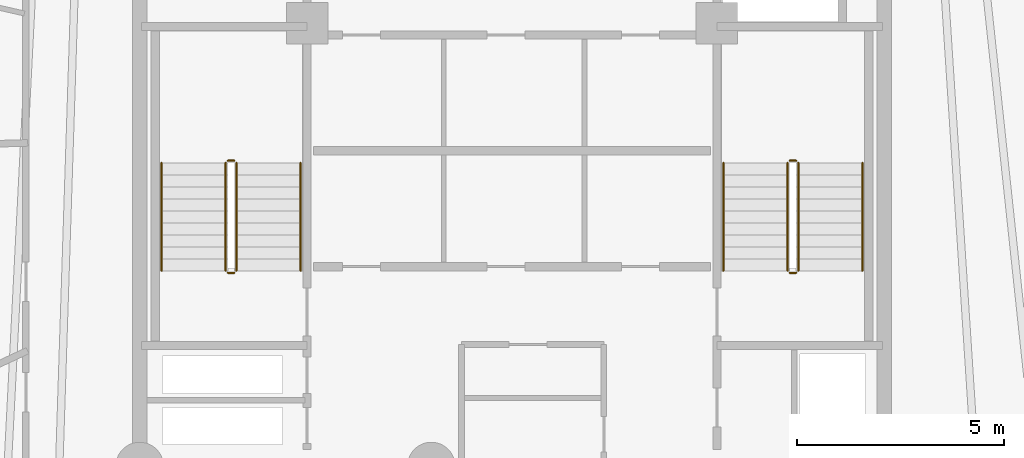
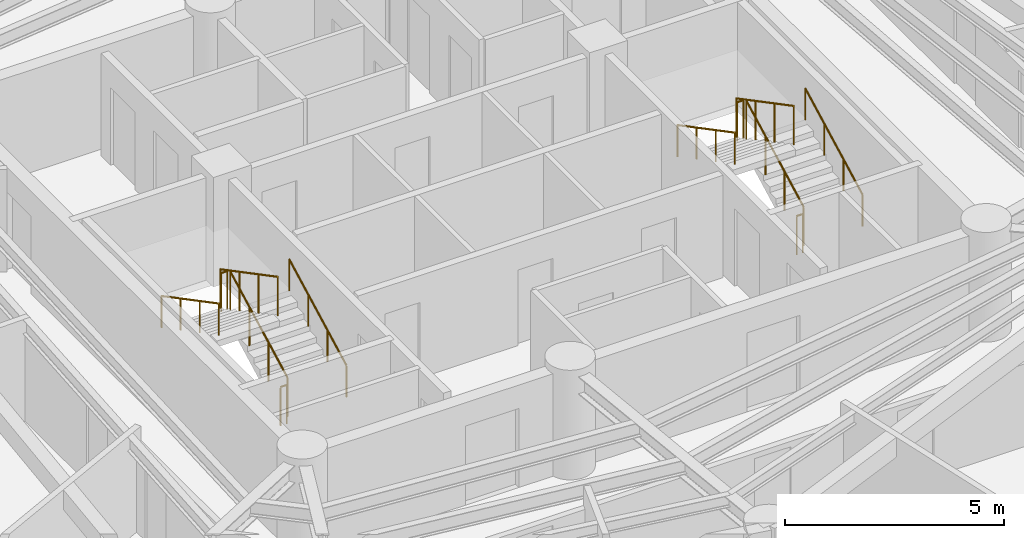
# One storey, part 7 of 7: 12 railings.
"""IFC4 building model written with IfcOpenShell, lengths in metres."""

from ifc_helpers import new_model, si_unit, direction, frame, origin, origin_2d, place, context, subcontext, project, spatial, circle, extrude, material, layer, layer_set, type_object, element, save


model = new_model("IFC4")

# Units and contexts
model_context = context("Model", 3, precision=1e-05, world=origin(), true_north=direction((0.0, 1.0)))
body_context = subcontext(model_context, "Body", "Model", "MODEL_VIEW")
ifc_project = project(units=[si_unit("LENGTHUNIT", "METRE"), si_unit("AREAUNIT", "SQUARE_METRE"), si_unit("VOLUMEUNIT", "CUBIC_METRE"), si_unit("PLANEANGLEUNIT", "RADIAN"), si_unit("MASSUNIT", "GRAM", prefix="KILO")], contexts=[model_context])

# Site, building, storey
site_placement = place(None, origin())
site = spatial("IfcSite", under=ifc_project, at=site_placement, CompositionType="ELEMENT")
building_placement = place(site_placement, origin())
building = spatial("IfcBuilding", under=site, at=building_placement, Name="Karkom Vertical University and Central Library", CompositionType="ELEMENT")
storey_placement = place(building_placement, frame((0.0, 0.0, 238.25)))
storey = spatial("IfcBuildingStorey", under=building, at=storey_placement, Name="L70", CompositionType="ELEMENT", Elevation=238.25)

# Railings
ifc_material_1 = material(Name="Painted galvanised steel balustrade", Category="steel")
ifc_layer_1 = layer(ifc_material_1, 0.06005859375)
ifc_layer_set_1 = layer_set([ifc_layer_1], Name="Painted galvanised steel balustrade")
railing_type_1 = type_object("IfcRailingType", Name="INT-RL-GUARD1100", PredefinedType="GUARDRAIL", material=ifc_layer_set_1)
railing_1_placement = place(storey_placement, frame((21.840087890625, 23.02001953125, 0.152587890625)))
element("IfcRailing", 1, at=railing_1_placement, inside=storey, type_object=railing_type_1, Name="Level 70 ST-1 stair guard 1", PredefinedType="GUARDRAIL", context=body_context, shape_type="SweptSolid", body=[
    extrude(circle(Radius=0.02392578125, at=origin_2d()), frame((0.0, 0.0, 1.076171875), z_axis=(0.0, 0.885099554253, 0.465401739426), x_axis=(-1.0, 0.0, 0.0)), (0.0, 0.0, 1.0), 2.94873046875),
    extrude(circle(Radius=0.02099609375, at=origin_2d()), origin(), (0.0, 0.0, 1.0), 1.052001953125),
    extrude(circle(Radius=0.02099609375, at=origin_2d()), frame((0.0, 0.869873046875, 0.45751953125)), (0.0, 0.0, 1.0), 1.052001953125),
    extrude(circle(Radius=0.02099609375, at=origin_2d()), frame((0.0, 1.739990234375, 0.914794921875)), (0.0, 0.0, 1.0), 1.052001953125),
    extrude(circle(Radius=0.02099609375, at=origin_2d()), frame((0.0, 2.60986328125, 1.372314453125)), (0.0, 0.0, 1.0), 1.052001953125),
])
railing_2_placement = place(storey_placement, frame((21.7900390625, 25.679931640625, 1.52490234375)))
element("IfcRailing", 2, at=railing_2_placement, inside=storey, type_object=railing_type_1, Name="Level 70 ST-1 stair guard 2", PredefinedType="GUARDRAIL", context=body_context, shape_type="SweptSolid", body=[
    extrude(circle(Radius=0.02392578125, at=origin_2d()), frame((0.0, 0.0, 1.076171875), z_axis=(-1.0, 0.0, 0.0), x_axis=(0.0, -1.0, 0.0)), (0.0, 0.0, 1.0), 0.16015625),
    extrude(circle(Radius=0.02099609375, at=origin_2d()), origin(), (0.0, 0.0, 1.0), 1.052001953125),
    extrude(circle(Radius=0.02099609375, at=origin_2d()), frame((-0.16015625, 0.0, 0.0)), (0.0, 0.0, 1.0), 1.052001953125),
])
railing_3_placement = place(storey_placement, frame((21.580078125, 25.6298828125, 1.677490234375)))
element("IfcRailing", 3, at=railing_3_placement, inside=storey, type_object=railing_type_1, Name="Level 70 ST-1 stair guard 3", PredefinedType="GUARDRAIL", context=body_context, shape_type="SweptSolid", body=[
    extrude(circle(Radius=0.02392578125, at=origin_2d()), frame((0.0, 0.0, 1.076171875), z_axis=(0.0, -0.885065446896, 0.46546659892), x_axis=(1.0, 0.0, 0.0)), (0.0, 0.0, 1.0), 2.94873046875),
    extrude(circle(Radius=0.02099609375, at=origin_2d()), origin(), (0.0, 0.0, 1.0), 1.052001953125),
    extrude(circle(Radius=0.02099609375, at=origin_2d()), frame((0.0, -0.869873046875, 0.45751953125)), (0.0, 0.0, 1.0), 1.052001953125),
    extrude(circle(Radius=0.02099609375, at=origin_2d()), frame((0.0, -1.739990234375, 0.9150390625)), (0.0, 0.0, 1.0), 1.052001953125),
    extrude(circle(Radius=0.02099609375, at=origin_2d()), frame((0.0, -2.60986328125, 1.37255859375)), (0.0, 0.0, 1.0), 1.052001953125),
])
railing_4_placement = place(storey_placement, frame((21.7900390625, 22.969970703125, 0.0)))
element("IfcRailing", 4, at=railing_4_placement, inside=storey, type_object=railing_type_1, Name="Level 70 ST-1 stair guard 4", PredefinedType="GUARDRAIL", context=body_context, shape_type="SweptSolid", body=[
    extrude(circle(Radius=0.02392578125, at=origin_2d()), frame((0.0, 0.0, 1.076171875), z_axis=(-1.0, 0.0, 0.0), x_axis=(0.0, -1.0, 0.0)), (0.0, 0.0, 1.0), 0.16015625),
    extrude(circle(Radius=0.02099609375, at=origin_2d()), origin(), (0.0, 0.0, 1.0), 1.052001953125),
    extrude(circle(Radius=0.02099609375, at=origin_2d()), frame((-0.16015625, 0.0, 0.0)), (0.0, 0.0, 1.0), 1.052001953125),
])
railing_5_placement = place(storey_placement, frame((35.419921875, 23.02001953125, 0.152587890625)))
element("IfcRailing", 5, at=railing_5_placement, inside=storey, type_object=railing_type_1, Name="Level 70 ST-2 stair guard 1", PredefinedType="GUARDRAIL", context=body_context, shape_type="SweptSolid", body=[
    extrude(circle(Radius=0.02392578125, at=origin_2d()), frame((0.0, 0.0, 1.076171875), z_axis=(0.0, 0.885099554253, 0.465401739426), x_axis=(-1.0, 0.0, 0.0)), (0.0, 0.0, 1.0), 2.94873046875),
    extrude(circle(Radius=0.02099609375, at=origin_2d()), origin(), (0.0, 0.0, 1.0), 1.052001953125),
    extrude(circle(Radius=0.02099609375, at=origin_2d()), frame((0.0, 0.869873046875, 0.45751953125)), (0.0, 0.0, 1.0), 1.052001953125),
    extrude(circle(Radius=0.02099609375, at=origin_2d()), frame((0.0, 1.739990234375, 0.914794921875)), (0.0, 0.0, 1.0), 1.052001953125),
    extrude(circle(Radius=0.02099609375, at=origin_2d()), frame((0.0, 2.60986328125, 1.372314453125)), (0.0, 0.0, 1.0), 1.052001953125),
])
railing_6_placement = place(storey_placement, frame((35.3701171875, 25.679931640625, 1.52490234375)))
element("IfcRailing", 6, at=railing_6_placement, inside=storey, type_object=railing_type_1, Name="Level 70 ST-2 stair guard 2", PredefinedType="GUARDRAIL", context=body_context, shape_type="SweptSolid", body=[
    extrude(circle(Radius=0.02392578125, at=origin_2d()), frame((0.0, 0.0, 1.076171875), z_axis=(-1.0, 0.0, 0.0), x_axis=(0.0, -1.0, 0.0)), (0.0, 0.0, 1.0), 0.16015625),
    extrude(circle(Radius=0.02099609375, at=origin_2d()), origin(), (0.0, 0.0, 1.0), 1.052001953125),
    extrude(circle(Radius=0.02099609375, at=origin_2d()), frame((-0.16015625, 0.0, 0.0)), (0.0, 0.0, 1.0), 1.052001953125),
])
railing_7_placement = place(storey_placement, frame((35.159912109375, 25.6298828125, 1.677490234375)))
element("IfcRailing", 7, at=railing_7_placement, inside=storey, type_object=railing_type_1, Name="Level 70 ST-2 stair guard 3", PredefinedType="GUARDRAIL", context=body_context, shape_type="SweptSolid", body=[
    extrude(circle(Radius=0.02392578125, at=origin_2d()), frame((0.0, 0.0, 1.076171875), z_axis=(0.0, -0.885065446896, 0.46546659892), x_axis=(1.0, 0.0, 0.0)), (0.0, 0.0, 1.0), 2.94873046875),
    extrude(circle(Radius=0.02099609375, at=origin_2d()), origin(), (0.0, 0.0, 1.0), 1.052001953125),
    extrude(circle(Radius=0.02099609375, at=origin_2d()), frame((0.0, -0.869873046875, 0.45751953125)), (0.0, 0.0, 1.0), 1.052001953125),
    extrude(circle(Radius=0.02099609375, at=origin_2d()), frame((0.0, -1.739990234375, 0.9150390625)), (0.0, 0.0, 1.0), 1.052001953125),
    extrude(circle(Radius=0.02099609375, at=origin_2d()), frame((0.0, -2.60986328125, 1.37255859375)), (0.0, 0.0, 1.0), 1.052001953125),
])
railing_8_placement = place(storey_placement, frame((35.3701171875, 22.969970703125, 0.0)))
element("IfcRailing", 8, at=railing_8_placement, inside=storey, type_object=railing_type_1, Name="Level 70 ST-2 stair guard 4", PredefinedType="GUARDRAIL", context=body_context, shape_type="SweptSolid", body=[
    extrude(circle(Radius=0.02392578125, at=origin_2d()), frame((0.0, 0.0, 1.076171875), z_axis=(-1.0, 0.0, 0.0), x_axis=(0.0, -1.0, 0.0)), (0.0, 0.0, 1.0), 0.16015625),
    extrude(circle(Radius=0.02099609375, at=origin_2d()), origin(), (0.0, 0.0, 1.0), 1.052001953125),
    extrude(circle(Radius=0.02099609375, at=origin_2d()), frame((-0.16015625, 0.0, 0.0)), (0.0, 0.0, 1.0), 1.052001953125),
])
ifc_material_2 = material(Name="Brushed stainless-steel tubular handrail", Category="steel")
ifc_layer_2 = layer(ifc_material_2, 0.048095703125)
ifc_layer_set_2 = layer_set([ifc_layer_2], Name="Brushed stainless-steel tubular handrail")
railing_type_2 = type_object("IfcRailingType", Name="INT-RL-HAND920", PredefinedType="HANDRAIL", material=ifc_layer_set_2)
railing_9_placement = place(storey_placement, frame((23.389892578125, 23.02001953125, 0.152587890625)))
element("IfcRailing", 9, at=railing_9_placement, inside=storey, type_object=railing_type_2, Name="Level 70 ST-1 stair handrail 1", PredefinedType="HANDRAIL", context=body_context, shape_type="SweptSolid", body=[
    extrude(circle(Radius=0.02392578125, at=origin_2d()), frame((0.0, 0.0, 0.8759765625), z_axis=(0.0, 0.885099554253, 0.465401739426), x_axis=(-1.0, 0.0, 0.0)), (0.0, 0.0, 1.0), 2.94873046875),
    extrude(circle(Radius=0.02099609375, at=origin_2d()), origin(), (0.0, 0.0, 1.0), 0.851806640625),
    extrude(circle(Radius=0.02099609375, at=origin_2d()), frame((0.0, 0.869873046875, 0.45751953125)), (0.0, 0.0, 1.0), 0.851806640625),
    extrude(circle(Radius=0.02099609375, at=origin_2d()), frame((0.0, 1.739990234375, 0.914794921875)), (0.0, 0.0, 1.0), 0.851806640625),
    extrude(circle(Radius=0.02099609375, at=origin_2d()), frame((0.0, 2.60986328125, 1.372314453125)), (0.0, 0.0, 1.0), 0.851806640625),
])
railing_10_placement = place(storey_placement, frame((20.030029296875, 25.6298828125, 1.677490234375)))
element("IfcRailing", 10, at=railing_10_placement, inside=storey, type_object=railing_type_2, Name="Level 70 ST-1 stair handrail 2", PredefinedType="HANDRAIL", context=body_context, shape_type="SweptSolid", body=[
    extrude(circle(Radius=0.02392578125, at=origin_2d()), frame((0.0, 0.0, 0.8759765625), z_axis=(0.0, -0.885065446896, 0.46546659892), x_axis=(1.0, 0.0, 0.0)), (0.0, 0.0, 1.0), 2.94873046875),
    extrude(circle(Radius=0.02099609375, at=origin_2d()), origin(), (0.0, 0.0, 1.0), 0.851806640625),
    extrude(circle(Radius=0.02099609375, at=origin_2d()), frame((0.0, -0.869873046875, 0.45751953125)), (0.0, 0.0, 1.0), 0.851806640625),
    extrude(circle(Radius=0.02099609375, at=origin_2d()), frame((0.0, -1.739990234375, 0.9150390625)), (0.0, 0.0, 1.0), 0.851806640625),
    extrude(circle(Radius=0.02099609375, at=origin_2d()), frame((0.0, -2.60986328125, 1.37255859375)), (0.0, 0.0, 1.0), 0.851806640625),
])
railing_11_placement = place(storey_placement, frame((36.969970703125, 23.02001953125, 0.152587890625)))
element("IfcRailing", 11, at=railing_11_placement, inside=storey, type_object=railing_type_2, Name="Level 70 ST-2 stair handrail 1", PredefinedType="HANDRAIL", context=body_context, shape_type="SweptSolid", body=[
    extrude(circle(Radius=0.02392578125, at=origin_2d()), frame((0.0, 0.0, 0.8759765625), z_axis=(0.0, 0.885099554253, 0.465401739426), x_axis=(-1.0, 0.0, 0.0)), (0.0, 0.0, 1.0), 2.94873046875),
    extrude(circle(Radius=0.02099609375, at=origin_2d()), origin(), (0.0, 0.0, 1.0), 0.851806640625),
    extrude(circle(Radius=0.02099609375, at=origin_2d()), frame((0.0, 0.869873046875, 0.45751953125)), (0.0, 0.0, 1.0), 0.851806640625),
    extrude(circle(Radius=0.02099609375, at=origin_2d()), frame((0.0, 1.739990234375, 0.914794921875)), (0.0, 0.0, 1.0), 0.851806640625),
    extrude(circle(Radius=0.02099609375, at=origin_2d()), frame((0.0, 2.60986328125, 1.372314453125)), (0.0, 0.0, 1.0), 0.851806640625),
])
railing_12_placement = place(storey_placement, frame((33.610107421875, 25.6298828125, 1.677490234375)))
element("IfcRailing", 12, at=railing_12_placement, inside=storey, type_object=railing_type_2, Name="Level 70 ST-2 stair handrail 2", PredefinedType="HANDRAIL", context=body_context, shape_type="SweptSolid", body=[
    extrude(circle(Radius=0.02392578125, at=origin_2d()), frame((0.0, 0.0, 0.8759765625), z_axis=(0.0, -0.885065446896, 0.46546659892), x_axis=(1.0, 0.0, 0.0)), (0.0, 0.0, 1.0), 2.94873046875),
    extrude(circle(Radius=0.02099609375, at=origin_2d()), origin(), (0.0, 0.0, 1.0), 0.851806640625),
    extrude(circle(Radius=0.02099609375, at=origin_2d()), frame((0.0, -0.869873046875, 0.45751953125)), (0.0, 0.0, 1.0), 0.851806640625),
    extrude(circle(Radius=0.02099609375, at=origin_2d()), frame((0.0, -1.739990234375, 0.9150390625)), (0.0, 0.0, 1.0), 0.851806640625),
    extrude(circle(Radius=0.02099609375, at=origin_2d()), frame((0.0, -2.60986328125, 1.37255859375)), (0.0, 0.0, 1.0), 0.851806640625),
])

save(model, "model.ifc")
